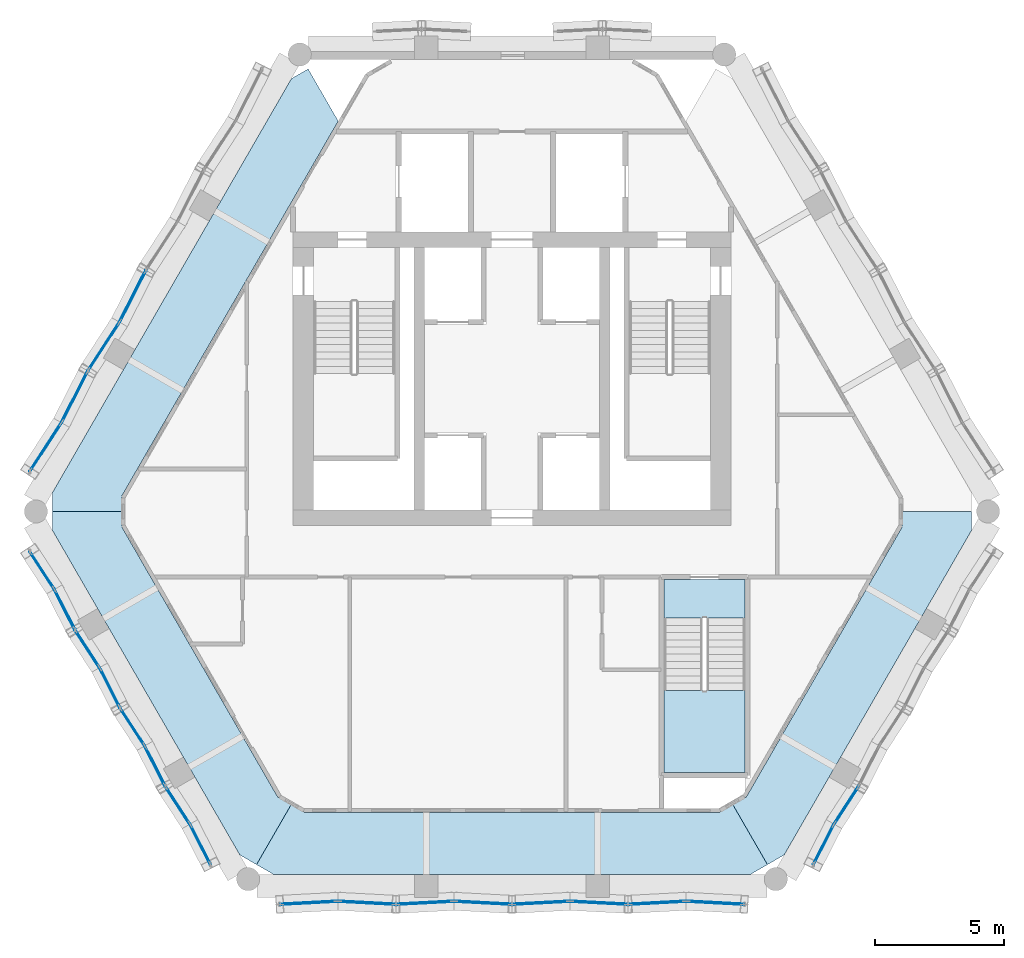
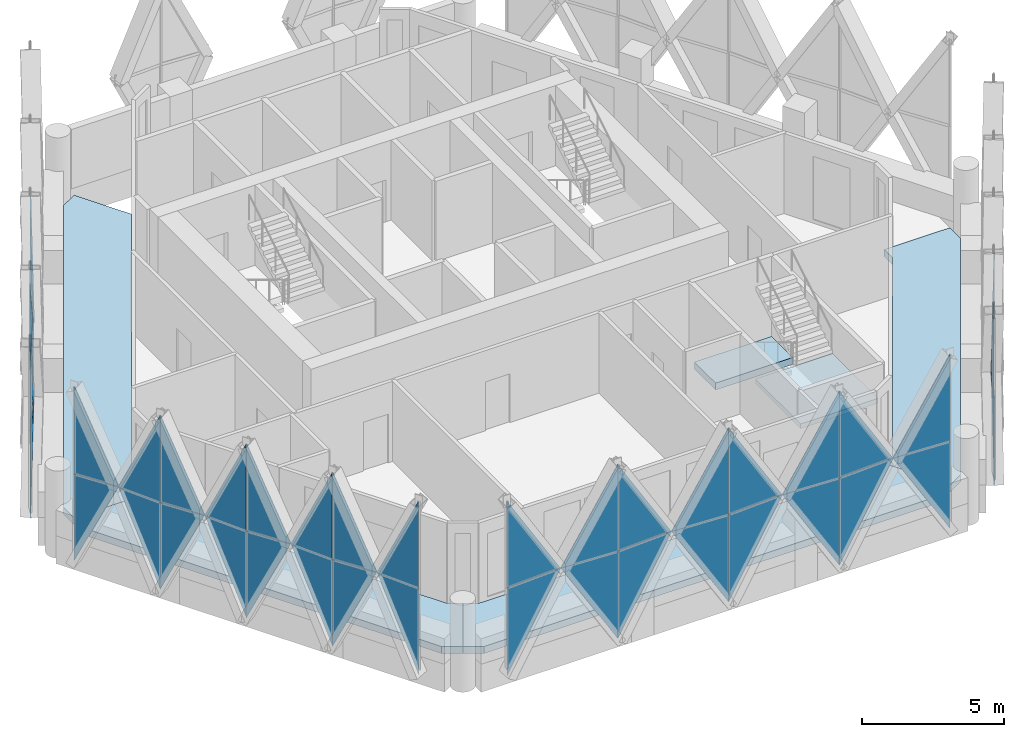
# One storey, part 16 of 27: 44 plates, 6 slabs, 17 elements without a shape of their own.
"""IFC4 building model written with IfcOpenShell, lengths in metres."""

from ifc_helpers import new_model, si_unit, direction, frame, origin, place, context, subcontext, project, spatial, polyline, outline, extrude, material, layer, layer_set, type_object, element, aggregate, save


model = new_model("IFC4")

# Units and contexts
model_context = context("Model", 3, precision=1e-05, world=origin(), true_north=direction((0.0, 1.0)))
body_context = subcontext(model_context, "Body", "Model", "MODEL_VIEW")
ifc_project = project(units=[si_unit("LENGTHUNIT", "METRE"), si_unit("AREAUNIT", "SQUARE_METRE"), si_unit("VOLUMEUNIT", "CUBIC_METRE"), si_unit("PLANEANGLEUNIT", "RADIAN"), si_unit("MASSUNIT", "GRAM", prefix="KILO")], contexts=[model_context])

# Site, building, storey
site_placement = place(None, origin())
site = spatial("IfcSite", under=ifc_project, at=site_placement, CompositionType="ELEMENT")
building_placement = place(site_placement, origin())
building = spatial("IfcBuilding", under=site, at=building_placement, Name="Ostrander Bayou Hotel Tower", CompositionType="ELEMENT")
storey_placement = place(building_placement, frame((0.0, 0.0, 267.5)))
storey = spatial("IfcBuildingStorey", under=building, at=storey_placement, Name="L66", CompositionType="ELEMENT", Elevation=267.5)

# Curtain wall, plate
ifc_material_1 = material(Name="Aluminium and clear glass", Category="aluminium")
curtain_wall_type = type_object("IfcCurtainWallType", Name="CW-LAT lattice glazing", PredefinedType="NOTDEFINED", material=ifc_material_1)
curtain_wall_1_placement = place(storey_placement, origin())
curtain_wall_1 = element("IfcCurtainWall", 1, at=curtain_wall_1_placement, inside=storey, type_object=curtain_wall_type, Name="CW-LAT L66 NW 3", PredefinedType="NOTDEFINED")
ifc_material_2 = material(Name="Clear laminated glass", Category="glass")
ifc_layer_1 = layer(ifc_material_2, 0.028076171875)
ifc_layer_set_1 = layer_set([ifc_layer_1], Name="CW-LA glazing panel 28 mm")
plate_type = type_object("IfcPlateType", Name="CW-LA glazing panel 28 mm", PredefinedType="CURTAIN_PANEL", material=ifc_layer_set_1)
plate_1_placement = place(storey_placement, frame((-15.23974609375, 6.194580078125, 3.14990234375), z_axis=(0.891028771336, -0.453946834608, 0.0), x_axis=(0.234186010481, 0.459671611903, -0.856655661106)))
plate_1 = element("IfcPlate", 2, at=plate_1_placement, type_object=plate_type, Name="CW-LAT panel 9", PredefinedType="CURTAIN_PANEL", context=body_context, shape_type="SweptSolid", body=[
    extrude(outline(polyline([(0.0, 0.0), (4.377488144020308, 4.440892098500626e-16), (1.1650294148722888, 1.934582361524237), (0.0, 0.0)])), origin(), (0.0, 0.0, -1.0), 0.028076171875),
])

curtain_wall_2_placement = place(storey_placement, origin())
curtain_wall_2 = element("IfcCurtainWall", 3, at=curtain_wall_2_placement, inside=storey, type_object=curtain_wall_type, Name="CW-LAT L66 NW 4", PredefinedType="NOTDEFINED")
plate_2_placement = place(storey_placement, frame((-15.23974609375, 6.194580078125, 3.14990234375), z_axis=(-0.891028771336, 0.453946834608, 0.0), x_axis=(0.234186010481, 0.459671611903, 0.856655661106)))
plate_2 = element("IfcPlate", 4, at=plate_2_placement, type_object=plate_type, Name="CW-LAT panel 10", PredefinedType="CURTAIN_PANEL", context=body_context, shape_type="SweptSolid", body=[
    extrude(outline(polyline([(0.0, 0.0), (4.377488144020308, 4.440892098500626e-16), (1.1650294148722888, 1.934582361524237), (0.0, 0.0)])), origin(), (0.0, 0.0, -1.0), 0.028076171875),
])

curtain_wall_3_placement = place(storey_placement, origin())
curtain_wall_3 = element("IfcCurtainWall", 5, at=curtain_wall_3_placement, inside=storey, type_object=curtain_wall_type, Name="CW-LAT L66 NW 1", PredefinedType="NOTDEFINED")
plate_3_placement = place(storey_placement, frame((-15.23974609375, 6.194580078125, 3.14990234375), z_axis=(-0.838693023355, 0.544604455155, 0.0), x_axis=(-0.280931451205, -0.432635550328, -0.856681971514)))
plate_3 = element("IfcPlate", 6, at=plate_3_placement, type_object=plate_type, Name="CW-LAT panel 11", PredefinedType="CURTAIN_PANEL", context=body_context, shape_type="SweptSolid", body=[
    extrude(outline(polyline([(0.0, 0.0), (4.377353702651636, 0.0), (1.1647963094756009, 1.9344185161308818), (0.0, 0.0)])), origin(), (0.0, 0.0, -1.0), 0.028076171875),
])

curtain_wall_4_placement = place(storey_placement, origin())
curtain_wall_4 = element("IfcCurtainWall", 7, at=curtain_wall_4_placement, inside=storey, type_object=curtain_wall_type, Name="CW-LAT L66 NW 2", PredefinedType="NOTDEFINED")
plate_4_placement = place(storey_placement, frame((-15.23974609375, 6.194580078125, 3.14990234375), z_axis=(0.838693023355, -0.544604455155, 0.0), x_axis=(-0.280931451205, -0.432635550328, 0.856681971514)))
plate_4 = element("IfcPlate", 8, at=plate_4_placement, type_object=plate_type, Name="CW-LAT panel 12", PredefinedType="CURTAIN_PANEL", context=body_context, shape_type="SweptSolid", body=[
    extrude(outline(polyline([(0.0, 0.0), (4.377353702651636, 0.0), (1.1647963094756009, 1.9344185161308818), (0.0, 0.0)])), origin(), (0.0, 0.0, -1.0), 0.028076171875),
])

# Plate
plate_5_placement = place(storey_placement, frame((-17.494873046875, 2.288818359375, 3.14990234375), z_axis=(0.890962753542, -0.454076394233, 0.0), x_axis=(0.234244727427, 0.459621618744, -0.856666431732)))
plate_5 = element("IfcPlate", 9, at=plate_5_placement, type_object=plate_type, Name="CW-LAT panel 13", PredefinedType="CURTAIN_PANEL", context=body_context, shape_type="SweptSolid", body=[
    extrude(outline(polyline([(0.0, 0.0), (4.377433107094841, 2.220446049250313e-16), (1.164933988100235, 1.9345152908309822), (0.0, 0.0)])), origin(), (0.0, 0.0, -1.0), 0.028076171875),
])

aggregate(curtain_wall_1, [plate_1, plate_5])

plate_6_placement = place(storey_placement, frame((-17.494873046875, 2.288818359375, 3.14990234375), z_axis=(-0.890962753542, 0.454076394233, 0.0), x_axis=(0.234244727427, 0.459621618744, 0.856666431732)))
plate_6 = element("IfcPlate", 10, at=plate_6_placement, type_object=plate_type, Name="CW-LAT panel 14", PredefinedType="CURTAIN_PANEL", context=body_context, shape_type="SweptSolid", body=[
    extrude(outline(polyline([(0.0, 0.0), (4.377433107094841, 2.220446049250313e-16), (1.164933988100235, 1.9345152908309822), (0.0, 0.0)])), origin(), (0.0, 0.0, -1.0), 0.028076171875),
])

aggregate(curtain_wall_2, [plate_2, plate_6])

plate_7_placement = place(storey_placement, frame((-17.494873046875, 2.288818359375, 3.14990234375), z_axis=(-0.838693023355, 0.544604455155, 0.0), x_axis=(-0.280931451205, -0.432635550328, -0.856681971514)))
plate_7 = element("IfcPlate", 11, at=plate_7_placement, type_object=plate_type, Name="CW-LAT panel 15", PredefinedType="CURTAIN_PANEL", context=body_context, shape_type="SweptSolid", body=[
    extrude(outline(polyline([(0.0, 0.0), (4.377353702651636, 0.0), (1.1647963094756009, 1.9344185161308818), (0.0, 0.0)])), origin(), (0.0, 0.0, -1.0), 0.028076171875),
])

aggregate(curtain_wall_3, [plate_3, plate_7])

plate_8_placement = place(storey_placement, frame((-17.494873046875, 2.288818359375, 3.14990234375), z_axis=(0.838693023355, -0.544604455155, 0.0), x_axis=(-0.280931451205, -0.432635550328, 0.856681971514)))
plate_8 = element("IfcPlate", 12, at=plate_8_placement, type_object=plate_type, Name="CW-LAT panel 16", PredefinedType="CURTAIN_PANEL", context=body_context, shape_type="SweptSolid", body=[
    extrude(outline(polyline([(0.0, 0.0), (4.377353702651636, 0.0), (1.1647963094756009, 1.9344185161308818), (0.0, 0.0)])), origin(), (0.0, 0.0, -1.0), 0.028076171875),
])

aggregate(curtain_wall_4, [plate_4, plate_8])

# Curtain wall, plate
curtain_wall_5_placement = place(storey_placement, origin())
curtain_wall_5 = element("IfcCurtainWall", 13, at=curtain_wall_5_placement, inside=storey, type_object=curtain_wall_type, Name="CW-LAT L66 SW 3", PredefinedType="NOTDEFINED")
plate_9_placement = place(storey_placement, frame((-17.767822265625, -4.181396484375, 3.14990234375), z_axis=(0.838681665228, 0.544621946318, 0.0), x_axis=(-0.231045890521, 0.35579534302, -0.905553681655)))
plate_9 = element("IfcPlate", 14, at=plate_9_placement, type_object=plate_type, Name="CW-LAT panel 1", PredefinedType="CURTAIN_PANEL", context=body_context, shape_type="SweptSolid", body=[
    extrude(outline(polyline([(0.0, 0.0), (4.141112863841765, 0.0), (0.7452865576362313, 1.5908688500572514), (0.0, 0.0)])), origin(), (0.0, 0.0, -1.0), 0.028076171875),
])

curtain_wall_6_placement = place(storey_placement, origin())
curtain_wall_6 = element("IfcCurtainWall", 15, at=curtain_wall_6_placement, inside=storey, type_object=curtain_wall_type, Name="CW-LAT L66 SW 4", PredefinedType="NOTDEFINED")
plate_10_placement = place(storey_placement, frame((-17.767822265625, -4.181396484375, 3.14990234375), z_axis=(-0.838681665228, -0.544621946318, 0.0), x_axis=(-0.231045890521, 0.35579534302, 0.905553681655)))
plate_10 = element("IfcPlate", 16, at=plate_10_placement, type_object=plate_type, Name="CW-LAT panel 2", PredefinedType="CURTAIN_PANEL", context=body_context, shape_type="SweptSolid", body=[
    extrude(outline(polyline([(0.0, 0.0), (4.141112863841765, 0.0), (0.7452865576362313, 1.5908688500572514), (0.0, 0.0)])), origin(), (0.0, 0.0, -1.0), 0.028076171875),
])

curtain_wall_7_placement = place(storey_placement, origin())
curtain_wall_7 = element("IfcCurtainWall", 17, at=curtain_wall_7_placement, inside=storey, type_object=curtain_wall_type, Name="CW-LAT L66 SW 1", PredefinedType="NOTDEFINED")
plate_11_placement = place(storey_placement, frame((-17.767822265625, -4.181396484375, 3.14990234375), z_axis=(-0.891038436196, -0.453927863456, 0.0), x_axis=(0.192552120059, -0.37797049654, -0.905572738551)))
plate_11 = element("IfcPlate", 18, at=plate_11_placement, type_object=plate_type, Name="CW-LAT panel 3", PredefinedType="CURTAIN_PANEL", context=body_context, shape_type="SweptSolid", body=[
    extrude(outline(polyline([(0.0, 0.0), (4.141025718156332, -2.220446049250313e-16), (0.7451279485909421, 1.590716297351861), (0.0, 0.0)])), origin(), (0.0, 0.0, -1.0), 0.028076171875),
])

curtain_wall_8_placement = place(storey_placement, origin())
curtain_wall_8 = element("IfcCurtainWall", 19, at=curtain_wall_8_placement, inside=storey, type_object=curtain_wall_type, Name="CW-LAT L66 SW 2", PredefinedType="NOTDEFINED")
plate_12_placement = place(storey_placement, frame((-17.767822265625, -4.181396484375, 3.14990234375), z_axis=(0.891038436196, 0.453927863456, 0.0), x_axis=(0.192552120059, -0.37797049654, 0.905572738551)))
plate_12 = element("IfcPlate", 20, at=plate_12_placement, type_object=plate_type, Name="CW-LAT panel 4", PredefinedType="CURTAIN_PANEL", context=body_context, shape_type="SweptSolid", body=[
    extrude(outline(polyline([(0.0, 0.0), (4.141025718156332, -2.220446049250313e-16), (0.7451279485909421, 1.590716297351861), (0.0, 0.0)])), origin(), (0.0, 0.0, -1.0), 0.028076171875),
])

# Plate
plate_13_placement = place(storey_placement, frame((-16.013671875, -7.2197265625, 3.14990234375), z_axis=(0.838640437815, 0.544685428538, 0.0), x_axis=(-0.231050736697, 0.355743849255, -0.905572675598)))
plate_13 = element("IfcPlate", 21, at=plate_13_placement, type_object=plate_type, Name="CW-LAT panel 5", PredefinedType="CURTAIN_PANEL", context=body_context, shape_type="SweptSolid", body=[
    extrude(outline(polyline([(0.0, 0.0), (4.141026006030143, -2.220446049250313e-16), (0.7451284725391051, 1.5907168013287247), (0.0, 0.0)])), origin(), (0.0, 0.0, -1.0), 0.028076171875),
])

plate_14_placement = place(storey_placement, frame((-16.013671875, -7.2197265625, 3.14990234375), z_axis=(-0.838640437815, -0.544685428538, 0.0), x_axis=(-0.231050736697, 0.355743849255, 0.905572675598)))
plate_14 = element("IfcPlate", 22, at=plate_14_placement, type_object=plate_type, Name="CW-LAT panel 6", PredefinedType="CURTAIN_PANEL", context=body_context, shape_type="SweptSolid", body=[
    extrude(outline(polyline([(0.0, 0.0), (4.141026006030143, -2.220446049250313e-16), (0.7451284725391051, 1.5907168013287247), (0.0, 0.0)])), origin(), (0.0, 0.0, -1.0), 0.028076171875),
])

plate_15_placement = place(storey_placement, frame((-16.013671875, -7.2197265625, 3.14990234375), z_axis=(-0.890982217687, -0.454038200777, 0.0), x_axis=(0.192608889759, -0.377966205155, -0.9055624569)))
plate_15 = element("IfcPlate", 23, at=plate_15_placement, type_object=plate_type, Name="CW-LAT panel 7", PredefinedType="CURTAIN_PANEL", context=body_context, shape_type="SweptSolid", body=[
    extrude(outline(polyline([(0.0, 0.0), (4.141072734881202, 0.0), (0.7452135215067667, 1.5907986053991756), (0.0, 0.0)])), origin(), (0.0, 0.0, -1.0), 0.028076171875),
])

plate_16_placement = place(storey_placement, frame((-16.013671875, -7.2197265625, 3.14990234375), z_axis=(0.890982217687, 0.454038200777, 0.0), x_axis=(0.192608889759, -0.377966205155, 0.9055624569)))
plate_16 = element("IfcPlate", 24, at=plate_16_placement, type_object=plate_type, Name="CW-LAT panel 8", PredefinedType="CURTAIN_PANEL", context=body_context, shape_type="SweptSolid", body=[
    extrude(outline(polyline([(0.0, 0.0), (4.141072734881202, 0.0), (0.7452135215067667, 1.5907986053991756), (0.0, 0.0)])), origin(), (0.0, 0.0, -1.0), 0.028076171875),
])

plate_17_placement = place(storey_placement, frame((-14.25927734375, -10.25830078125, 3.14990234375), z_axis=(0.838681665228, 0.544621946318, 0.0), x_axis=(-0.231045890521, 0.35579534302, -0.905553681655)))
plate_17 = element("IfcPlate", 25, at=plate_17_placement, type_object=plate_type, Name="CW-LAT panel 9", PredefinedType="CURTAIN_PANEL", context=body_context, shape_type="SweptSolid", body=[
    extrude(outline(polyline([(0.0, 0.0), (4.141112863841765, 0.0), (0.7452865576362313, 1.5908688500572514), (0.0, 0.0)])), origin(), (0.0, 0.0, -1.0), 0.028076171875),
])

plate_18_placement = place(storey_placement, frame((-14.25927734375, -10.25830078125, 3.14990234375), z_axis=(-0.838681665228, -0.544621946318, 0.0), x_axis=(-0.231045890521, 0.35579534302, 0.905553681655)))
plate_18 = element("IfcPlate", 26, at=plate_18_placement, type_object=plate_type, Name="CW-LAT panel 10", PredefinedType="CURTAIN_PANEL", context=body_context, shape_type="SweptSolid", body=[
    extrude(outline(polyline([(0.0, 0.0), (4.141112863841765, 0.0), (0.7452865576362313, 1.5908688500572514), (0.0, 0.0)])), origin(), (0.0, 0.0, -1.0), 0.028076171875),
])

plate_19_placement = place(storey_placement, frame((-14.25927734375, -10.25830078125, 3.14990234375), z_axis=(-0.891038436196, -0.453927863456, 0.0), x_axis=(0.192552120059, -0.37797049654, -0.905572738551)))
plate_19 = element("IfcPlate", 27, at=plate_19_placement, type_object=plate_type, Name="CW-LAT panel 11", PredefinedType="CURTAIN_PANEL", context=body_context, shape_type="SweptSolid", body=[
    extrude(outline(polyline([(0.0, 0.0), (4.141025718156332, -2.220446049250313e-16), (0.7451279485909421, 1.590716297351861), (0.0, 0.0)])), origin(), (0.0, 0.0, -1.0), 0.028076171875),
])

plate_20_placement = place(storey_placement, frame((-14.25927734375, -10.25830078125, 3.14990234375), z_axis=(0.891038436196, 0.453927863456, 0.0), x_axis=(0.192552120059, -0.37797049654, 0.905572738551)))
plate_20 = element("IfcPlate", 28, at=plate_20_placement, type_object=plate_type, Name="CW-LAT panel 12", PredefinedType="CURTAIN_PANEL", context=body_context, shape_type="SweptSolid", body=[
    extrude(outline(polyline([(0.0, 0.0), (4.141025718156332, -2.220446049250313e-16), (0.7451279485909421, 1.590716297351861), (0.0, 0.0)])), origin(), (0.0, 0.0, -1.0), 0.028076171875),
])

plate_21_placement = place(storey_placement, frame((-12.5048828125, -13.296875, 3.14990234375), z_axis=(0.838618187955, 0.544719684637, 0.0), x_axis=(-0.231101697534, 0.355790496076, -0.905541345439)))
plate_21 = element("IfcPlate", 29, at=plate_21_placement, type_object=plate_type, Name="CW-LAT panel 13", PredefinedType="CURTAIN_PANEL", context=body_context, shape_type="SweptSolid", body=[
    extrude(outline(polyline([(0.0, 0.0), (4.141169278342306, 0.0), (0.7453892329467309, 1.590967593413902), (0.0, 0.0)])), origin(), (0.0, 0.0, -1.0), 0.028076171875),
])

aggregate(curtain_wall_5, [plate_9, plate_13, plate_17, plate_21])

plate_22_placement = place(storey_placement, frame((-12.5048828125, -13.296875, 3.14990234375), z_axis=(-0.838618187955, -0.544719684637, 0.0), x_axis=(-0.231101697534, 0.355790496076, 0.905541345439)))
plate_22 = element("IfcPlate", 30, at=plate_22_placement, type_object=plate_type, Name="CW-LAT panel 14", PredefinedType="CURTAIN_PANEL", context=body_context, shape_type="SweptSolid", body=[
    extrude(outline(polyline([(0.0, 0.0), (4.141169278342306, 0.0), (0.7453892329467309, 1.590967593413902), (0.0, 0.0)])), origin(), (0.0, 0.0, -1.0), 0.028076171875),
])

aggregate(curtain_wall_6, [plate_10, plate_14, plate_18, plate_22])

plate_23_placement = place(storey_placement, frame((-12.5048828125, -13.296875, 3.14990234375), z_axis=(-0.891038436196, -0.453927863456, 0.0), x_axis=(0.192552120059, -0.37797049654, -0.905572738551)))
plate_23 = element("IfcPlate", 31, at=plate_23_placement, type_object=plate_type, Name="CW-LAT panel 15", PredefinedType="CURTAIN_PANEL", context=body_context, shape_type="SweptSolid", body=[
    extrude(outline(polyline([(0.0, 0.0), (4.141025718156332, -2.220446049250313e-16), (0.7451279485909421, 1.590716297351861), (0.0, 0.0)])), origin(), (0.0, 0.0, -1.0), 0.028076171875),
])

aggregate(curtain_wall_7, [plate_11, plate_15, plate_19, plate_23])

plate_24_placement = place(storey_placement, frame((-12.5048828125, -13.296875, 3.14990234375), z_axis=(0.891038436196, 0.453927863456, 0.0), x_axis=(0.192552120059, -0.37797049654, 0.905572738551)))
plate_24 = element("IfcPlate", 32, at=plate_24_placement, type_object=plate_type, Name="CW-LAT panel 16", PredefinedType="CURTAIN_PANEL", context=body_context, shape_type="SweptSolid", body=[
    extrude(outline(polyline([(0.0, 0.0), (4.141025718156332, -2.220446049250313e-16), (0.7451279485909421, 1.590716297351861), (0.0, 0.0)])), origin(), (0.0, 0.0, -1.0), 0.028076171875),
])

aggregate(curtain_wall_8, [plate_12, plate_16, plate_20, plate_24])

# Curtain wall, plate
curtain_wall_9_placement = place(storey_placement, origin())
curtain_wall_9 = element("IfcCurtainWall", 33, at=curtain_wall_9_placement, inside=storey, type_object=curtain_wall_type, Name="CW-LAT L66 S 3", PredefinedType="NOTDEFINED")
plate_25_placement = place(storey_placement, frame((-6.76513671875, -16.29541015625, 3.14990234375), z_axis=(-0.052326181956, 0.998630046955, 0.0), x_axis=(-0.51516920458, -0.0269938178, -0.856663308688)))
plate_25 = element("IfcPlate", 34, at=plate_25_placement, type_object=plate_type, Name="CW-LAT panel 1", PredefinedType="CURTAIN_PANEL", context=body_context, shape_type="SweptSolid", body=[
    extrude(outline(polyline([(0.0, 0.0), (4.377449065423532, -2.220446049250313e-16), (1.1649616578426032, 1.9345347389318097), (0.0, 0.0)])), origin(), (0.0, 0.0, -1.0), 0.028076171875),
])

curtain_wall_10_placement = place(storey_placement, origin())
curtain_wall_10 = element("IfcCurtainWall", 35, at=curtain_wall_10_placement, inside=storey, type_object=curtain_wall_type, Name="CW-LAT L66 S 4", PredefinedType="NOTDEFINED")
plate_26_placement = place(storey_placement, frame((-6.76513671875, -16.29541015625, 3.14990234375), z_axis=(0.052326181956, -0.998630046955, 0.0), x_axis=(-0.51516920458, -0.0269938178, 0.856663308688)))
plate_26 = element("IfcPlate", 36, at=plate_26_placement, type_object=plate_type, Name="CW-LAT panel 2", PredefinedType="CURTAIN_PANEL", context=body_context, shape_type="SweptSolid", body=[
    extrude(outline(polyline([(0.0, 0.0), (4.377449065423532, -2.220446049250313e-16), (1.1649616578426032, 1.9345347389318097), (0.0, 0.0)])), origin(), (0.0, 0.0, -1.0), 0.028076171875),
])

curtain_wall_11_placement = place(storey_placement, origin())
curtain_wall_11 = element("IfcCurtainWall", 37, at=curtain_wall_11_placement, inside=storey, type_object=curtain_wall_type, Name="CW-LAT L66 S 1", PredefinedType="NOTDEFINED")
plate_27_placement = place(storey_placement, frame((-6.76513671875, -16.29541015625, 3.14990234375), z_axis=(-0.052326181956, -0.998630046955, 0.0), x_axis=(0.51516920458, -0.0269938178, -0.856663308688)))
plate_27 = element("IfcPlate", 38, at=plate_27_placement, type_object=plate_type, Name="CW-LAT panel 3", PredefinedType="CURTAIN_PANEL", context=body_context, shape_type="SweptSolid", body=[
    extrude(outline(polyline([(0.0, 0.0), (4.377449065423532, -2.220446049250313e-16), (1.1649616578426032, 1.9345347389318097), (0.0, 0.0)])), origin(), (0.0, 0.0, -1.0), 0.028076171875),
])

curtain_wall_12_placement = place(storey_placement, origin())
curtain_wall_12 = element("IfcCurtainWall", 39, at=curtain_wall_12_placement, inside=storey, type_object=curtain_wall_type, Name="CW-LAT L66 S 2", PredefinedType="NOTDEFINED")
plate_28_placement = place(storey_placement, frame((-6.76513671875, -16.29541015625, 3.14990234375), z_axis=(0.052326181956, 0.998630046955, 0.0), x_axis=(0.51516920458, -0.0269938178, 0.856663308688)))
plate_28 = element("IfcPlate", 40, at=plate_28_placement, type_object=plate_type, Name="CW-LAT panel 4", PredefinedType="CURTAIN_PANEL", context=body_context, shape_type="SweptSolid", body=[
    extrude(outline(polyline([(0.0, 0.0), (4.377449065423532, -2.220446049250313e-16), (1.1649616578426032, 1.9345347389318097), (0.0, 0.0)])), origin(), (0.0, 0.0, -1.0), 0.028076171875),
])

# Plate
plate_29_placement = place(storey_placement, frame((-2.255126953125, -16.29541015625, 3.14990234375), z_axis=(-0.0523318319, 0.998629750894, 0.0), x_axis=(-0.515128232407, -0.026994593383, -0.856687922236)))
plate_29 = element("IfcPlate", 41, at=plate_29_placement, type_object=plate_type, Name="CW-LAT panel 5", PredefinedType="CURTAIN_PANEL", context=body_context, shape_type="SweptSolid", body=[
    extrude(outline(polyline([(0.0, 0.0), (4.377323296693359, -4.440892098500626e-16), (1.1647435883079058, 1.934381455987944), (0.0, 0.0)])), origin(), (0.0, 0.0, -1.0), 0.028076171875),
])

plate_30_placement = place(storey_placement, frame((-2.255126953125, -16.29541015625, 3.14990234375), z_axis=(0.0523318319, -0.998629750894, 0.0), x_axis=(-0.515128232407, -0.026994593383, 0.856687922236)))
plate_30 = element("IfcPlate", 42, at=plate_30_placement, type_object=plate_type, Name="CW-LAT panel 6", PredefinedType="CURTAIN_PANEL", context=body_context, shape_type="SweptSolid", body=[
    extrude(outline(polyline([(0.0, 0.0), (4.377323296693359, -4.440892098500626e-16), (1.1647435883079058, 1.934381455987944), (0.0, 0.0)])), origin(), (0.0, 0.0, -1.0), 0.028076171875),
])

plate_31_placement = place(storey_placement, frame((-2.255126953125, -16.29541015625, 3.14990234375), z_axis=(-0.052326181956, -0.998630046955, 0.0), x_axis=(0.51516920458, -0.0269938178, -0.856663308688)))
plate_31 = element("IfcPlate", 43, at=plate_31_placement, type_object=plate_type, Name="CW-LAT panel 7", PredefinedType="CURTAIN_PANEL", context=body_context, shape_type="SweptSolid", body=[
    extrude(outline(polyline([(0.0, 0.0), (4.377449065423532, -2.220446049250313e-16), (1.1649616578426032, 1.9345347389318097), (0.0, 0.0)])), origin(), (0.0, 0.0, -1.0), 0.028076171875),
])

plate_32_placement = place(storey_placement, frame((-2.255126953125, -16.29541015625, 3.14990234375), z_axis=(0.052326181956, 0.998630046955, 0.0), x_axis=(0.51516920458, -0.0269938178, 0.856663308688)))
plate_32 = element("IfcPlate", 44, at=plate_32_placement, type_object=plate_type, Name="CW-LAT panel 8", PredefinedType="CURTAIN_PANEL", context=body_context, shape_type="SweptSolid", body=[
    extrude(outline(polyline([(0.0, 0.0), (4.377449065423532, -2.220446049250313e-16), (1.1649616578426032, 1.9345347389318097), (0.0, 0.0)])), origin(), (0.0, 0.0, -1.0), 0.028076171875),
])

plate_33_placement = place(storey_placement, frame((2.255126953125, -16.29541015625, 3.14990234375), z_axis=(-0.052326181956, 0.998630046955, 0.0), x_axis=(-0.51516920458, -0.0269938178, -0.856663308688)))
plate_33 = element("IfcPlate", 45, at=plate_33_placement, type_object=plate_type, Name="CW-LAT panel 9", PredefinedType="CURTAIN_PANEL", context=body_context, shape_type="SweptSolid", body=[
    extrude(outline(polyline([(0.0, 0.0), (4.377449065423532, -2.220446049250313e-16), (1.1649616578426032, 1.9345347389318097), (0.0, 0.0)])), origin(), (0.0, 0.0, -1.0), 0.028076171875),
])

plate_34_placement = place(storey_placement, frame((2.255126953125, -16.29541015625, 3.14990234375), z_axis=(0.052326181956, -0.998630046955, 0.0), x_axis=(-0.51516920458, -0.0269938178, 0.856663308688)))
plate_34 = element("IfcPlate", 46, at=plate_34_placement, type_object=plate_type, Name="CW-LAT panel 10", PredefinedType="CURTAIN_PANEL", context=body_context, shape_type="SweptSolid", body=[
    extrude(outline(polyline([(0.0, 0.0), (4.377449065423532, -2.220446049250313e-16), (1.1649616578426032, 1.9345347389318097), (0.0, 0.0)])), origin(), (0.0, 0.0, -1.0), 0.028076171875),
])

plate_35_placement = place(storey_placement, frame((2.255126953125, -16.29541015625, 3.14990234375), z_axis=(-0.0523318319, -0.998629750894, 0.0), x_axis=(0.515128232407, -0.026994593383, -0.856687922236)))
plate_35 = element("IfcPlate", 47, at=plate_35_placement, type_object=plate_type, Name="CW-LAT panel 11", PredefinedType="CURTAIN_PANEL", context=body_context, shape_type="SweptSolid", body=[
    extrude(outline(polyline([(0.0, 0.0), (4.377323296693359, -4.440892098500626e-16), (1.1647435883079058, 1.934381455987944), (0.0, 0.0)])), origin(), (0.0, 0.0, -1.0), 0.028076171875),
])

plate_36_placement = place(storey_placement, frame((2.255126953125, -16.29541015625, 3.14990234375), z_axis=(0.0523318319, 0.998629750894, 0.0), x_axis=(0.515128232407, -0.026994593383, 0.856687922236)))
plate_36 = element("IfcPlate", 48, at=plate_36_placement, type_object=plate_type, Name="CW-LAT panel 12", PredefinedType="CURTAIN_PANEL", context=body_context, shape_type="SweptSolid", body=[
    extrude(outline(polyline([(0.0, 0.0), (4.377323296693359, -4.440892098500626e-16), (1.1647435883079058, 1.934381455987944), (0.0, 0.0)])), origin(), (0.0, 0.0, -1.0), 0.028076171875),
])

plate_37_placement = place(storey_placement, frame((6.76513671875, -16.29541015625, 3.14990234375), z_axis=(-0.052326181956, 0.998630046955, 0.0), x_axis=(-0.51516920458, -0.0269938178, -0.856663308688)))
plate_37 = element("IfcPlate", 49, at=plate_37_placement, type_object=plate_type, Name="CW-LAT panel 13", PredefinedType="CURTAIN_PANEL", context=body_context, shape_type="SweptSolid", body=[
    extrude(outline(polyline([(0.0, 0.0), (4.377449065423532, -2.220446049250313e-16), (1.1649616578426032, 1.9345347389318097), (0.0, 0.0)])), origin(), (0.0, 0.0, -1.0), 0.028076171875),
])

aggregate(curtain_wall_9, [plate_25, plate_29, plate_33, plate_37])

plate_38_placement = place(storey_placement, frame((6.76513671875, -16.29541015625, 3.14990234375), z_axis=(0.052326181956, -0.998630046955, 0.0), x_axis=(-0.51516920458, -0.0269938178, 0.856663308688)))
plate_38 = element("IfcPlate", 50, at=plate_38_placement, type_object=plate_type, Name="CW-LAT panel 14", PredefinedType="CURTAIN_PANEL", context=body_context, shape_type="SweptSolid", body=[
    extrude(outline(polyline([(0.0, 0.0), (4.377449065423532, -2.220446049250313e-16), (1.1649616578426032, 1.9345347389318097), (0.0, 0.0)])), origin(), (0.0, 0.0, -1.0), 0.028076171875),
])

aggregate(curtain_wall_10, [plate_26, plate_30, plate_34, plate_38])

plate_39_placement = place(storey_placement, frame((6.76513671875, -16.29541015625, 3.14990234375), z_axis=(-0.052326181956, -0.998630046955, 0.0), x_axis=(0.51516920458, -0.0269938178, -0.856663308688)))
plate_39 = element("IfcPlate", 51, at=plate_39_placement, type_object=plate_type, Name="CW-LAT panel 15", PredefinedType="CURTAIN_PANEL", context=body_context, shape_type="SweptSolid", body=[
    extrude(outline(polyline([(0.0, 0.0), (4.377449065423532, -2.220446049250313e-16), (1.1649616578426032, 1.9345347389318097), (0.0, 0.0)])), origin(), (0.0, 0.0, -1.0), 0.028076171875),
])

aggregate(curtain_wall_11, [plate_27, plate_31, plate_35, plate_39])

plate_40_placement = place(storey_placement, frame((6.76513671875, -16.29541015625, 3.14990234375), z_axis=(0.052326181956, 0.998630046955, 0.0), x_axis=(0.51516920458, -0.0269938178, 0.856663308688)))
plate_40 = element("IfcPlate", 52, at=plate_40_placement, type_object=plate_type, Name="CW-LAT panel 16", PredefinedType="CURTAIN_PANEL", context=body_context, shape_type="SweptSolid", body=[
    extrude(outline(polyline([(0.0, 0.0), (4.377449065423532, -2.220446049250313e-16), (1.1649616578426032, 1.9345347389318097), (0.0, 0.0)])), origin(), (0.0, 0.0, -1.0), 0.028076171875),
])

aggregate(curtain_wall_12, [plate_28, plate_32, plate_36, plate_40])

# Curtain wall, plate
curtain_wall_13_placement = place(storey_placement, origin())
curtain_wall_13 = element("IfcCurtainWall", 53, at=curtain_wall_13_placement, inside=storey, type_object=curtain_wall_type, Name="CW-LAT L66 SE 3", PredefinedType="NOTDEFINED")
plate_41_placement = place(storey_placement, frame((12.5048828125, -13.296875, 3.14990234375), z_axis=(-0.891038436196, 0.453927863456, 0.0), x_axis=(-0.192552120059, -0.37797049654, -0.905572738551)))
plate_41 = element("IfcPlate", 54, at=plate_41_placement, type_object=plate_type, Name="CW-LAT panel 1", PredefinedType="CURTAIN_PANEL", context=body_context, shape_type="SweptSolid", body=[
    extrude(outline(polyline([(0.0, 0.0), (4.141025718156332, -2.220446049250313e-16), (0.7451279485909421, 1.590716297351861), (0.0, 0.0)])), origin(), (0.0, 0.0, -1.0), 0.028076171875),
])
aggregate(curtain_wall_13, [plate_41])

curtain_wall_14_placement = place(storey_placement, origin())
curtain_wall_14 = element("IfcCurtainWall", 55, at=curtain_wall_14_placement, inside=storey, type_object=curtain_wall_type, Name="CW-LAT L66 SE 4", PredefinedType="NOTDEFINED")
plate_42_placement = place(storey_placement, frame((12.5048828125, -13.296875, 3.14990234375), z_axis=(0.891038436196, -0.453927863456, 0.0), x_axis=(-0.192552120059, -0.37797049654, 0.905572738551)))
plate_42 = element("IfcPlate", 56, at=plate_42_placement, type_object=plate_type, Name="CW-LAT panel 2", PredefinedType="CURTAIN_PANEL", context=body_context, shape_type="SweptSolid", body=[
    extrude(outline(polyline([(0.0, 0.0), (4.141025718156332, -2.220446049250313e-16), (0.7451279485909421, 1.590716297351861), (0.0, 0.0)])), origin(), (0.0, 0.0, -1.0), 0.028076171875),
])
aggregate(curtain_wall_14, [plate_42])

curtain_wall_15_placement = place(storey_placement, origin())
curtain_wall_15 = element("IfcCurtainWall", 57, at=curtain_wall_15_placement, inside=storey, type_object=curtain_wall_type, Name="CW-LAT L66 SE 1", PredefinedType="NOTDEFINED")
plate_43_placement = place(storey_placement, frame((12.5048828125, -13.296875, 3.14990234375), z_axis=(0.838618187955, -0.544719684637, 0.0), x_axis=(0.231101697534, 0.355790496076, -0.905541345439)))
plate_43 = element("IfcPlate", 58, at=plate_43_placement, type_object=plate_type, Name="CW-LAT panel 3", PredefinedType="CURTAIN_PANEL", context=body_context, shape_type="SweptSolid", body=[
    extrude(outline(polyline([(0.0, 0.0), (4.141169278342306, 0.0), (0.7453892329467309, 1.590967593413902), (0.0, 0.0)])), origin(), (0.0, 0.0, -1.0), 0.028076171875),
])
aggregate(curtain_wall_15, [plate_43])

curtain_wall_16_placement = place(storey_placement, origin())
curtain_wall_16 = element("IfcCurtainWall", 59, at=curtain_wall_16_placement, inside=storey, type_object=curtain_wall_type, Name="CW-LAT L66 SE 2", PredefinedType="NOTDEFINED")
plate_44_placement = place(storey_placement, frame((12.5048828125, -13.296875, 3.14990234375), z_axis=(-0.838618187955, 0.544719684637, 0.0), x_axis=(0.231101697534, 0.355790496076, 0.905541345439)))
plate_44 = element("IfcPlate", 60, at=plate_44_placement, type_object=plate_type, Name="CW-LAT panel 4", PredefinedType="CURTAIN_PANEL", context=body_context, shape_type="SweptSolid", body=[
    extrude(outline(polyline([(0.0, 0.0), (4.141169278342306, 0.0), (0.7453892329467309, 1.590967593413902), (0.0, 0.0)])), origin(), (0.0, 0.0, -1.0), 0.028076171875),
])
aggregate(curtain_wall_16, [plate_44])

# Slabs
ifc_material_3 = material(Name="Concrete f'c 40 MPa", Category="concrete")
ifc_layer_2 = layer(ifc_material_3, 0.300048828125)
ifc_layer_set_2 = layer_set([ifc_layer_2], Name="SL1 floor slab 300 mm f'c 40 MPa")
slab_type_1 = type_object("IfcSlabType", Name="SL1 floor slab 300 mm f'c 40 MPa", PredefinedType="FLOOR", material=ifc_layer_set_2)
slab_1_placement = place(storey_placement, frame((0.0, 0.0, -0.300048828125)))
element("IfcSlab", 61, at=slab_1_placement, inside=storey, type_object=slab_type_1, Name="cslab:L66:004", PredefinedType="FLOOR", context=body_context, shape_type="SweptSolid", body=[
    extrude(outline(polyline([(9.050048828125, -5.300048828125), (9.050048828125, -3.800048828125), (5.89990234375, -3.800048828125), (5.89990234375, -5.300048828125), (9.050048828125, -5.300048828125)])), origin(), (0.0, 0.0, 1.0), 0.300048828125),
])
ifc_material_4 = material(Name="Concrete f'c 40 MPa", Category="concrete")
ifc_layer_3 = layer(ifc_material_4, 0.300048828125)
ifc_layer_set_3 = layer_set([ifc_layer_3], Name="SL4 loggia slab 300 mm f'c 40 MPa")
slab_type_2 = type_object("IfcSlabType", Name="SL4 loggia slab 300 mm f'c 40 MPa", PredefinedType="FLOOR", material=ifc_layer_set_3)
slab_2_placement = place(storey_placement, frame((0.0, 0.0, -0.300048828125)))
element("IfcSlab", 62, at=slab_2_placement, inside=storey, type_object=slab_type_2, Name="SL4 LOGGIA L66 NW 1", PredefinedType="FLOOR", context=body_context, shape_type="SweptSolid", body=[
    extrude(outline(polyline([(-17.83642578125, -1.156494140625), (-17.83642578125, -0.406494140625), (-10.33837890625, 12.58056640625), (-9.88671875, 13.36279296875), (-8.566162109375, 15.64990234375), (-7.916748046875, 16.02490234375), (-6.74755859375, 14.0), (-15.151611328125, -0.556396484375), (-15.151611328125, -1.156494140625), (-17.83642578125, -1.156494140625)])), origin(), (0.0, 0.0, 1.0), 0.300048828125),
])
slab_3_placement = place(storey_placement, frame((0.0, 0.0, -0.300048828125)))
element("IfcSlab", 63, at=slab_3_placement, inside=storey, type_object=slab_type_2, Name="SL4 LOGGIA L66 SW 1", PredefinedType="FLOOR", context=body_context, shape_type="SweptSolid", body=[
    extrude(outline(polyline([(-8.577392578125, -12.54345703125), (-9.919677734375, -14.868408203125), (-10.569091796875, -14.493408203125), (-12.328125, -11.447021484375), (-12.748046875, -10.719482421875), (-15.657470703125, -5.680419921875), (-16.077392578125, -4.952880859375), (-16.087646484375, -4.935302734375), (-17.235595703125, -2.947021484375), (-17.83642578125, -1.906494140625), (-17.83642578125, -1.156494140625), (-15.151611328125, -1.156494140625), (-15.151611328125, -1.756591796875), (-9.096923828125, -12.243408203125), (-8.577392578125, -12.54345703125)])), origin(), (0.0, 0.0, 1.0), 0.300048828125),
])
slab_4_placement = place(storey_placement, frame((0.0, 0.0, -0.300048828125)))
element("IfcSlab", 64, at=slab_4_placement, inside=storey, type_object=slab_type_2, Name="SL4 LOGGIA L66 S 1", PredefinedType="FLOOR", context=body_context, shape_type="SweptSolid", body=[
    extrude(outline(polyline([(8.577392578125, -12.54345703125), (9.919677734375, -14.868408203125), (9.270263671875, -15.243408203125), (-9.270263671875, -15.243408203125), (-9.919677734375, -14.868408203125), (-8.577392578125, -12.54345703125), (-8.057861328125, -12.843505859375), (8.057861328125, -12.843505859375), (8.577392578125, -12.54345703125)])), origin(), (0.0, 0.0, 1.0), 0.300048828125),
])
slab_5_placement = place(storey_placement, frame((0.0, 0.0, -0.300048828125)))
element("IfcSlab", 65, at=slab_5_placement, inside=storey, type_object=slab_type_2, Name="SL4 LOGGIA L66 SE 1", PredefinedType="FLOOR", context=body_context, shape_type="SweptSolid", body=[
    extrude(outline(polyline([(15.151611328125, -1.156494140625), (17.83642578125, -1.156494140625), (17.83642578125, -1.906494140625), (16.077392578125, -4.952880859375), (15.657470703125, -5.680419921875), (15.57763671875, -5.81884765625), (10.569091796875, -14.493408203125), (9.919677734375, -14.868408203125), (8.577392578125, -12.54345703125), (9.096923828125, -12.243408203125), (15.151611328125, -1.756591796875), (15.151611328125, -1.156494140625)])), origin(), (0.0, 0.0, 1.0), 0.300048828125),
])

# Stair, slab
ifc_material_5 = material(Name="Concrete f'c 45 MPa", Category="concrete")
stair_type = type_object("IfcStairType", Name="ST1 exit stair 1500 mm f'c 45 MPa", PredefinedType="HALF_TURN_STAIR", material=ifc_material_5)
stair_placement = place(storey_placement, origin())
stair = element("IfcStair", 66, at=stair_placement, inside=storey, type_object=stair_type, Name="L66 exit stair C", PredefinedType="HALF_TURN_STAIR")
ifc_material_6 = material(Name="Concrete f'c 45 MPa", Category="concrete")
ifc_layer_4 = layer(ifc_material_6, 0.199951171875)
ifc_layer_set_4 = layer_set([ifc_layer_4], Name="SL8 stair landing 200 mm f'c 45 MPa")
slab_type_3 = type_object("IfcSlabType", Name="SL8 stair landing 200 mm f'c 45 MPa", PredefinedType="LANDING", material=ifc_layer_set_4)
slab_6_placement = place(storey_placement, frame((0.0, 0.0, 1.675048828125)))
slab_6 = element("IfcSlab", 67, at=slab_6_placement, type_object=slab_type_3, Name="STC landing 1", PredefinedType="LANDING", context=body_context, shape_type="SweptSolid", body=[
    extrude(outline(polyline([(5.89990234375, -8.10009765625), (5.89990234375, -11.300048828125), (9.050048828125, -11.300048828125), (9.050048828125, -8.10009765625), (5.89990234375, -8.10009765625)])), origin(), (0.0, 0.0, 1.0), 0.199951171875),
])
aggregate(stair, [slab_6])

save(model, "model.ifc")
